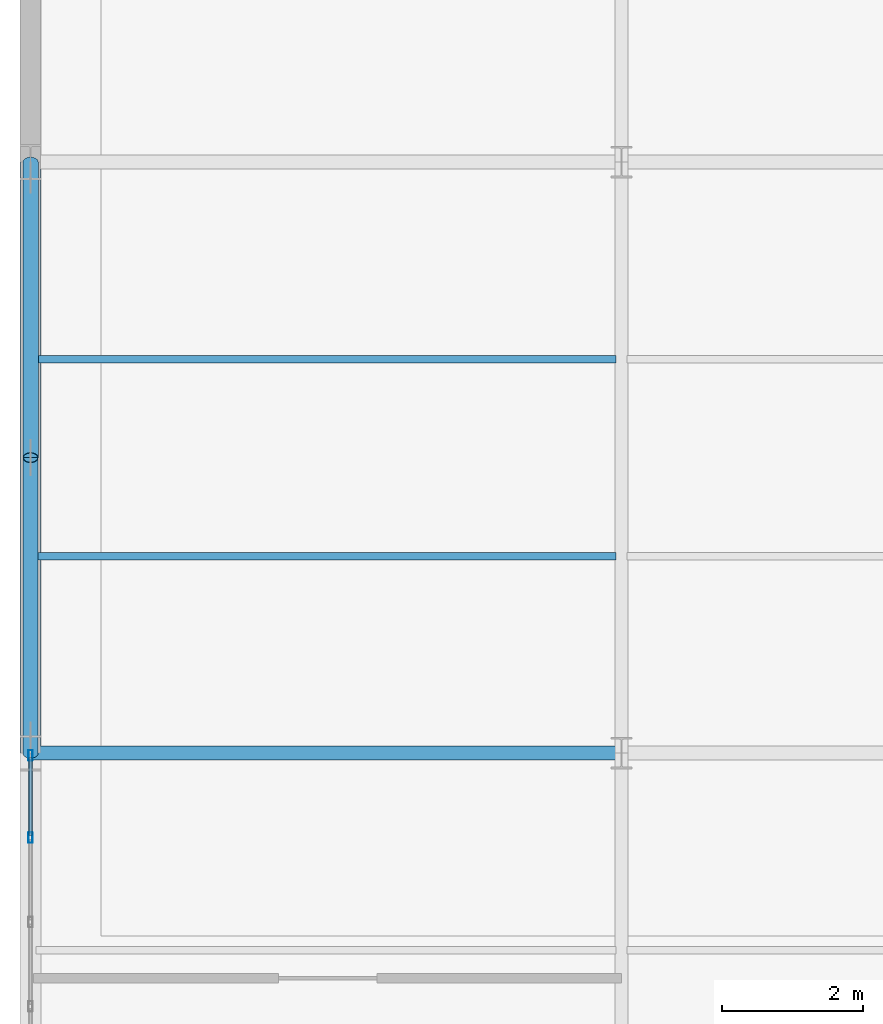
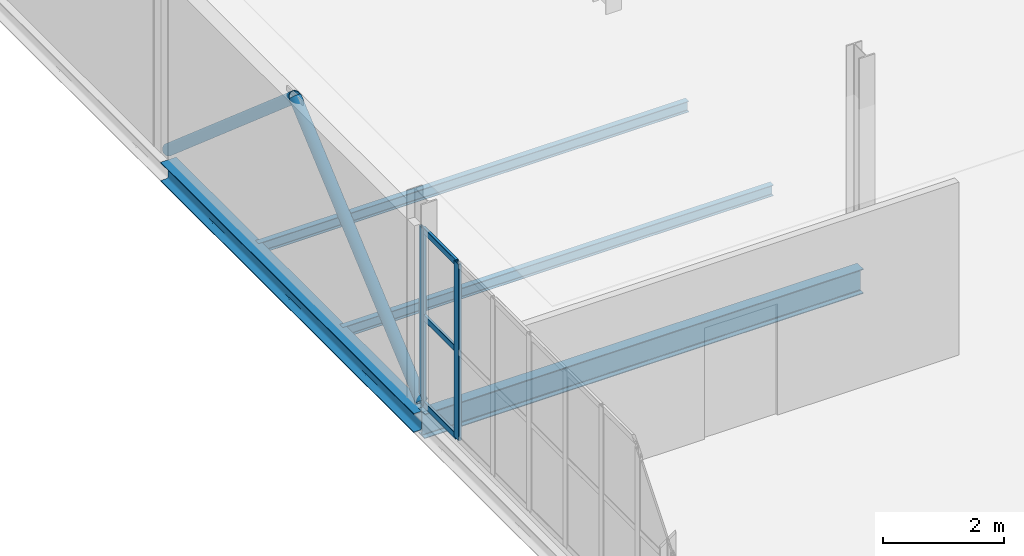
# One storey, part 21 of 65: 7 members, 4 beams, 1 element without a shape of its own.
"""IFC4 building model written with IfcOpenShell, lengths in metres."""

from ifc_helpers import new_model, si_unit, direction, frame, origin, origin_2d, place, context, subcontext, project, spatial, hollow_rectangle, hollow_circle, i_section, extrude, material, layer, layer_set, material_profile, profile_set, type_object, element, aggregate, save


model = new_model("IFC4")

# Units and contexts
model_context = context("Model", 3, precision=1e-05, world=origin(), true_north=direction((0.0, 1.0)))
body_context = subcontext(model_context, "Body", "Model", "MODEL_VIEW")
ifc_project = project(units=[si_unit("LENGTHUNIT", "METRE"), si_unit("AREAUNIT", "SQUARE_METRE"), si_unit("VOLUMEUNIT", "CUBIC_METRE"), si_unit("PLANEANGLEUNIT", "RADIAN"), si_unit("MASSUNIT", "GRAM", prefix="KILO")], contexts=[model_context])

# Site, building, storey
site_placement = place(None, origin())
site = spatial("IfcSite", under=ifc_project, at=site_placement, CompositionType="ELEMENT")
building_placement = place(site_placement, origin())
building = spatial("IfcBuilding", under=site, at=building_placement, Name="Qalvenar Corner Mobility Hub", CompositionType="ELEMENT")
storey_placement = place(building_placement, frame((0.0, 0.0, 17.39990234375)))
storey = spatial("IfcBuildingStorey", under=building, at=storey_placement, Name="L04", CompositionType="ELEMENT", Elevation=17.39990234375)

# Beams
ifc_material_1 = material(Name="Steel S355", Category="steel")
ifc_material_profile_1 = material_profile(ifc_material_1, i_section(OverallWidth=0.199951171875, OverallDepth=0.5, WebThickness=0.01025390625, FlangeThickness=0.01611328125, FilletRadius=0.02099609375, at=origin_2d()), Name="IPE500")
ifc_profile_set_1 = profile_set([ifc_material_profile_1], Name="Steel S355")
beam_type_1 = type_object("IfcBeamType", Name="BM-IPE500", PredefinedType="BEAM", material=ifc_profile_set_1)
beam_1_placement = place(storey_placement, frame((0.0, 25.199951171875, -0.429931640625), z_axis=(1.0, 0.0, 0.0), x_axis=(0.0, 1.0, 0.0)))
element("IfcBeam", 1, at=beam_1_placement, inside=storey, type_object=beam_type_1, Name="Primary Steel Girder GX-2609", PredefinedType="BEAM", context=body_context, shape_type="SweptSolid", body=[
    extrude(i_section(OverallWidth=0.199951171875, OverallDepth=0.5, WebThickness=0.01025390625, FlangeThickness=0.01611328125, FilletRadius=0.02099609375, at=origin_2d()), origin(), (0.0, 0.0, 1.0), 8.39990234375),
])
ifc_material_profile_2 = material_profile(ifc_material_1, i_section(OverallWidth=0.110107421875, OverallDepth=0.219970703125, WebThickness=0.005859375, FlangeThickness=0.00927734375, FilletRadius=0.011962890625, at=origin_2d()), Name="IPE220")
ifc_profile_set_2 = profile_set([ifc_material_profile_2], Name="Steel S355")
beam_type_2 = type_object("IfcBeamType", Name="BM-JST220", PredefinedType="JOIST", material=ifc_profile_set_2)
for number, where, z_axis, x_axis, name in (
    (2, (0.077880859375, 28.0, -0.289794921875), (1.0, 0.0, 0.0), (0.0, 1.0, 0.0), "Composite Floor Joist J-2669"),
    (3, (0.077880859375, 30.800048828125, -0.289794921875), (1.0, 0.0, 0.0), (0.0, 1.0, 0.0), "Composite Floor Joist J-2670"),
):
    element("IfcBeam", number, at=place(storey_placement, frame(where, z_axis=z_axis, x_axis=x_axis)), inside=storey, type_object=beam_type_2, Name=name, PredefinedType="JOIST", context=body_context, shape_type="SweptSolid", body=[
        extrude(i_section(OverallWidth=0.110107421875, OverallDepth=0.219970703125, WebThickness=0.005859375, FlangeThickness=0.00927734375, FilletRadius=0.011962890625, at=origin_2d()), origin(), (0.0, 0.0, 1.0), 8.244140625),
    ])
ifc_material_profile_3 = material_profile(ifc_material_1, i_section(OverallWidth=0.300048828125, OverallDepth=0.389892578125, WebThickness=0.010986328125, FlangeThickness=0.01904296875, FilletRadius=0.027099609375, at=origin_2d()), Name="HEA400")
ifc_profile_set_3 = profile_set([ifc_material_profile_3], Name="Steel S355")
beam_type_3 = type_object("IfcBeamType", Name="BM-SPN400", PredefinedType="SPANDREL", material=ifc_profile_set_3)
beam_2_placement = place(storey_placement, frame((0.0, 25.199951171875, -0.375), z_axis=(0.0, 1.0, 0.0), x_axis=(-1.0, 0.0, 0.0)))
element("IfcBeam", 4, at=beam_2_placement, inside=storey, type_object=beam_type_3, Name="Primary Steel Girder GY-2630", PredefinedType="SPANDREL", context=body_context, shape_type="SweptSolid", body=[
    extrude(i_section(OverallWidth=0.300048828125, OverallDepth=0.389892578125, WebThickness=0.010986328125, FlangeThickness=0.01904296875, FilletRadius=0.027099609375, at=origin_2d()), origin(), (0.0, 0.0, 1.0), 8.400146484375),
])

# Members
ifc_material_profile_4 = material_profile(ifc_material_1, hollow_circle(Radius=0.109619140625, WallThickness=0.010009765625, at=origin_2d()), Name="CHS219.1x10")
ifc_profile_set_4 = profile_set([ifc_material_profile_4], Name="Steel S355")
member_type_1 = type_object("IfcMemberType", Name="BR-CHS219", PredefinedType="BRACE", material=ifc_profile_set_4)
for number, where, z_axis, x_axis, name in (
    (5, (0.0, 25.199951171875, 0.02001953125), (0.0, 0.757457263903, 0.652884747379), (-1.0, 0.0, 0.0), "Chevron Lateral Brace BR-019"),
    (6, (0.0, 33.60009765625, 0.02001953125), (0.0, -0.757476031353, 0.652862973315), (1.0, 0.0, 0.0), "Chevron Lateral Brace BR-020"),
):
    element("IfcMember", number, at=place(storey_placement, frame(where, z_axis=z_axis, x_axis=x_axis)), inside=storey, type_object=member_type_1, Name=name, PredefinedType="BRACE", context=body_context, shape_type="SweptSolid", body=[
        extrude(hollow_circle(Radius=0.109619140625, WallThickness=0.010009765625, at=origin_2d()), origin(), (0.0, 0.0, 1.0), 5.544921875),
    ])

# Curtain wall, members
ifc_material_2 = material(Name="Anodised Aluminium and Low-E Glazing", Category="aluminium")
ifc_layer = layer(ifc_material_2, 0.14990234375)
ifc_layer_set = layer_set([ifc_layer], Name="Anodised Aluminium and Low-E Glazing")
curtain_wall_type = type_object("IfcCurtainWallType", Name="CW-CIV-84X40", PredefinedType="NOTDEFINED", material=ifc_layer_set)
curtain_wall_placement = place(storey_placement, origin())
curtain_wall = element("IfcCurtainWall", 7, at=curtain_wall_placement, inside=storey, type_object=curtain_wall_type, Name="Glazed Curtain Wall CW-V3-L04-W2", PredefinedType="NOTDEFINED")
ifc_material_3 = material(Name="Anodised Aluminium 6063-T6", Category="aluminium")
ifc_material_profile_5 = material_profile(ifc_material_3, hollow_rectangle(XDim=0.06005859375, YDim=0.14990234375, WallThickness=0.00390625, InnerFilletRadius=0.00390625, OuterFilletRadius=0.008056640625, at=origin_2d()), Name="RHS150x60x4")
ifc_profile_set_5 = profile_set([ifc_material_profile_5], Name="Anodised Aluminium 6063-T6")
member_type_2 = type_object("IfcMemberType", Name="CW-MUL150", PredefinedType="MULLION", material=ifc_profile_set_5)
member_1_placement = place(storey_placement, frame((0.0, 25.169921875, 0.0), z_axis=(0.0, 0.0, 1.0), x_axis=(1.0, 0.0, 0.0)))
member_1 = element("IfcMember", 8, at=member_1_placement, type_object=member_type_2, Name="CW-05 mullion 1", PredefinedType="MULLION", context=body_context, shape_type="SweptSolid", body=[
    extrude(hollow_rectangle(XDim=0.06005859375, YDim=0.14990234375, WallThickness=0.00390625, InnerFilletRadius=0.00390625, OuterFilletRadius=0.008056640625, at=origin_2d()), origin(), (0.0, 0.0, 1.0), 3.570068359375),
])
member_2_placement = place(storey_placement, frame((0.0, 24.0, 0.0), z_axis=(0.0, 0.0, 1.0), x_axis=(1.0, 0.0, 0.0)))
member_2 = element("IfcMember", 9, at=member_2_placement, type_object=member_type_2, Name="CW-05 mullion 2", PredefinedType="MULLION", context=body_context, shape_type="SweptSolid", body=[
    extrude(hollow_rectangle(XDim=0.06005859375, YDim=0.14990234375, WallThickness=0.00390625, InnerFilletRadius=0.00390625, OuterFilletRadius=0.008056640625, at=origin_2d()), origin(), (0.0, 0.0, 1.0), 3.570068359375),
])
ifc_material_profile_6 = material_profile(ifc_material_3, hollow_rectangle(XDim=0.054931640625, YDim=0.1201171875, WallThickness=0.00341796875, InnerFilletRadius=0.00341796875, OuterFilletRadius=0.007080078125, at=origin_2d()), Name="RHS120x55x3.5")
ifc_profile_set_6 = profile_set([ifc_material_profile_6], Name="Anodised Aluminium 6063-T6")
member_type_3 = type_object("IfcMemberType", Name="CW-TRN120", PredefinedType="USERDEFINED", material=ifc_profile_set_6)
member_3_placement = place(storey_placement, frame((0.0, 25.139892578125, 0.027587890625), z_axis=(0.0, -1.0, 0.0), x_axis=(1.0, 0.0, 0.0)))
member_3 = element("IfcMember", 10, at=member_3_placement, type_object=member_type_3, Name="CW-05 transom 1.1", ObjectType="TRANSOM", PredefinedType="USERDEFINED", context=body_context, shape_type="SweptSolid", body=[
    extrude(hollow_rectangle(XDim=0.054931640625, YDim=0.1201171875, WallThickness=0.00341796875, InnerFilletRadius=0.00341796875, OuterFilletRadius=0.007080078125, at=origin_2d()), origin(), (0.0, 0.0, 1.0), 1.10986328125),
])
member_4_placement = place(storey_placement, frame((0.0, 25.139892578125, 1.78515625), z_axis=(0.0, -1.0, 0.0), x_axis=(1.0, 0.0, 0.0)))
member_4 = element("IfcMember", 11, at=member_4_placement, type_object=member_type_3, Name="CW-05 transom 1.2", ObjectType="TRANSOM", PredefinedType="USERDEFINED", context=body_context, shape_type="SweptSolid", body=[
    extrude(hollow_rectangle(XDim=0.054931640625, YDim=0.1201171875, WallThickness=0.00341796875, InnerFilletRadius=0.00341796875, OuterFilletRadius=0.007080078125, at=origin_2d()), origin(), (0.0, 0.0, 1.0), 1.10986328125),
])
member_5_placement = place(storey_placement, frame((0.0, 25.139892578125, 3.54248046875), z_axis=(0.0, -1.0, 0.0), x_axis=(1.0, 0.0, 0.0)))
member_5 = element("IfcMember", 12, at=member_5_placement, type_object=member_type_3, Name="CW-05 transom 1.3", ObjectType="TRANSOM", PredefinedType="USERDEFINED", context=body_context, shape_type="SweptSolid", body=[
    extrude(hollow_rectangle(XDim=0.054931640625, YDim=0.1201171875, WallThickness=0.00341796875, InnerFilletRadius=0.00341796875, OuterFilletRadius=0.007080078125, at=origin_2d()), origin(), (0.0, 0.0, 1.0), 1.10986328125),
])
aggregate(curtain_wall, [member_1, member_2, member_3, member_4, member_5])

save(model, "model.ifc")
